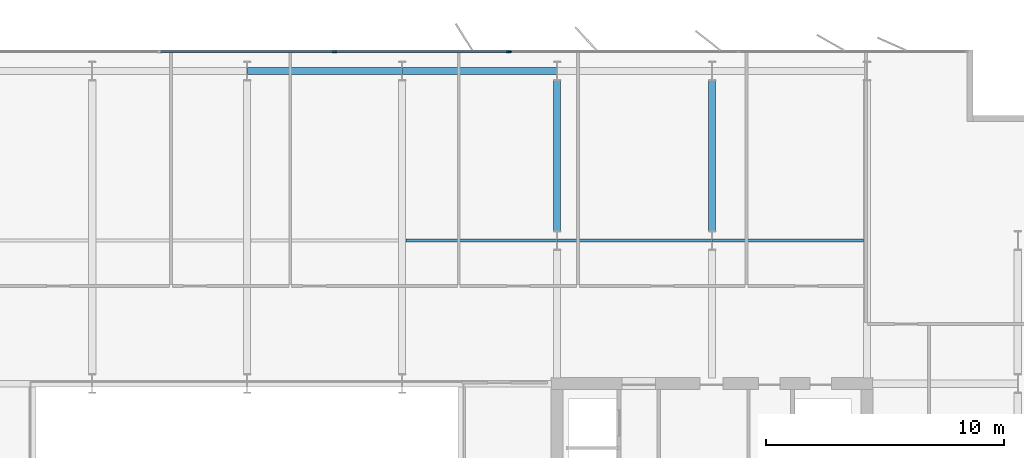
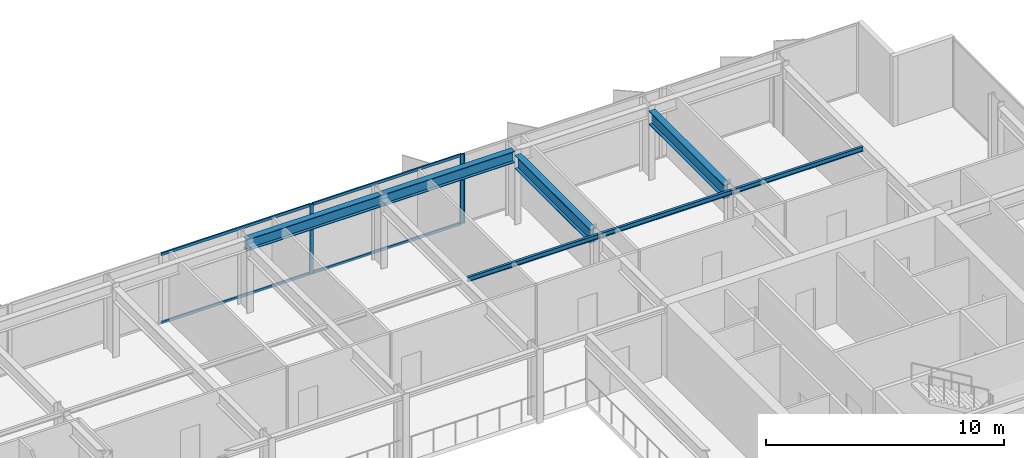
# One storey, part 12 of 23: 7 beams, 7 members, 2 elements without a shape of their own.
"""IFC4 building model written with IfcOpenShell, lengths in metres."""

import ifcopenshell
import ifcopenshell.guid

model = None  # the IFC model being written
_history = None  # IfcOwnerHistory: only IFC2X3 demands one
_inside = {}  # id of a spatial element -> (the spatial element, [elements in it])
_under = {}  # id of a project, library or spatial element -> (it, [spatial elements below it])
_declared = {}  # id of a project -> (the project, [libraries it declares])
_typed = {}  # id of a type object -> (the type object, [elements of that type])
_made_of = {}  # id of a material, layer set ... -> (it, [elements and type objects made of it])


def new_model(schema):
    """Start an empty IFC model of exactly this schema.

    Asked for "IFC4X3", IfcOpenShell would pick the latest addendum, in which some entities
    have other attributes; the version numbers below select the first issue.
    IFC2X3 requires an IfcOwnerHistory on every rooted entity: one is made here for all.
    """
    global model, _history
    if schema == "IFC4X3":
        model = ifcopenshell.file(schema_version=(4, 3, 0, 0))
    else:
        model = ifcopenshell.file(schema=schema)
    _inside.clear()
    _under.clear()
    _declared.clear()
    _typed.clear()
    _made_of.clear()
    _history = None
    if model.schema == "IFC2X3":
        org = make("IfcOrganization", Name="unknown")
        user = make(
            "IfcPersonAndOrganization",
            ThePerson=make("IfcPerson", FamilyName="unknown"),
            TheOrganization=org,
        )
        app = make(
            "IfcApplication",
            ApplicationDeveloper=org,
            Version="unknown",
            ApplicationFullName="unknown",
            ApplicationIdentifier="unknown",
        )
        _history = make(
            "IfcOwnerHistory",
            OwningUser=user,
            OwningApplication=app,
            ChangeAction="ADDED",
            CreationDate=0,
        )
    return model


def make(cls, **values):
    """One entity of the class cls with the attributes given. An attribute that is None is left unset."""
    return model.create_entity(
        cls, **{name: value for name, value in values.items() if value is not None}
    )


def rooted(cls, **values):
    """An entity with a GlobalId (a new one), such as an element, a storey or a relation."""
    return make(cls, GlobalId=ifcopenshell.guid.new(), OwnerHistory=_history, **values)


def si_unit(unit_type, name, prefix=None):
    """IfcSIUnit, for example si_unit("LENGTHUNIT", "METRE", prefix="MILLI")."""
    return make("IfcSIUnit", UnitType=unit_type, Prefix=prefix, Name=name)


def assignment(units):
    """IfcUnitAssignment: the units of a project."""
    return None if units is None else make("IfcUnitAssignment", Units=units)


def point(xyz):
    """IfcCartesianPoint."""
    return None if xyz is None else make("IfcCartesianPoint", Coordinates=xyz)


def direction(xyz):
    """IfcDirection."""
    return None if xyz is None else make("IfcDirection", DirectionRatios=xyz)


def frame(location, z_axis=None, x_axis=None):
    """IfcAxis2Placement3D, a coordinate frame: its origin and axes. An axis left out is left unset."""
    return make(
        "IfcAxis2Placement3D",
        Location=point(location),
        Axis=direction(z_axis),
        RefDirection=direction(x_axis),
    )


def frame_2d(location, x_axis=None):
    """IfcAxis2Placement2D, a coordinate frame in the plane: its origin and x axis."""
    return make(
        "IfcAxis2Placement2D", Location=point(location), RefDirection=direction(x_axis)
    )


def origin():
    """The frame at (0, 0, 0) with its axes left unset."""
    return frame((0.0, 0.0, 0.0))


def origin_2d():
    """The frame at (0, 0) in the plane with its x axis left unset."""
    return frame_2d((0.0, 0.0))


def place(relative_to, where):
    """IfcLocalPlacement: puts the frame where relative to a parent placement (None: the world)."""
    return make(
        "IfcLocalPlacement", PlacementRelTo=relative_to, RelativePlacement=where
    )


def context(
    kind, dimensions, precision=None, world=None, true_north=None, identifier=None
):
    """IfcGeometricRepresentationContext, for example the 3D "Model" context."""
    return make(
        "IfcGeometricRepresentationContext",
        ContextIdentifier=identifier,
        ContextType=kind,
        CoordinateSpaceDimension=dimensions,
        Precision=precision,
        WorldCoordinateSystem=world,
        TrueNorth=true_north,
    )


def subcontext(parent, identifier, kind, view, scale=None):
    """IfcGeometricRepresentationSubContext, for example "Body" below "Model"."""
    return make(
        "IfcGeometricRepresentationSubContext",
        ContextIdentifier=identifier,
        ContextType=kind,
        ParentContext=parent,
        TargetScale=scale,
        TargetView=view,
    )


def project(units=None, contexts=None):
    """IfcProject with its units and contexts."""
    return rooted(
        "IfcProject",
        Name="project",
        RepresentationContexts=contexts,
        UnitsInContext=assignment(units),
    )


def spatial(cls, under=None, at=None, **own):
    """A site, building, storey or space (cls), placed at a placement, below another one or the project."""
    s = rooted(cls, ObjectPlacement=at, **own)
    if under is not None:
        _under.setdefault(under.id(), (under, []))[1].append(s)
    return s


def profile(cls, at=None, kind="AREA", **sizes):
    """A parametric profile (cls). Its sizes go by their IFC names, for example OverallWidth=200.0."""
    return make(cls, ProfileType=kind, Position=at, **sizes)


def rectangle(**sizes):
    """IfcRectangleProfileDef."""
    return profile("IfcRectangleProfileDef", **sizes)


def i_section(**sizes):
    """IfcIShapeProfileDef."""
    return profile("IfcIShapeProfileDef", **sizes)


def extrude(swept, where, along, depth):
    """IfcExtrudedAreaSolid: the profile swept, set in the frame where, extruded along a direction by depth."""
    return make(
        "IfcExtrudedAreaSolid",
        SweptArea=swept,
        Position=where,
        ExtrudedDirection=direction(along),
        Depth=depth,
    )


def shape(context_of_items, identifier, shape_type, items):
    """IfcShapeRepresentation: the items that make up one representation, for example the "Body"."""
    return make(
        "IfcShapeRepresentation",
        ContextOfItems=context_of_items,
        RepresentationIdentifier=identifier,
        RepresentationType=shape_type,
        Items=items,
    )


def material(Name=None, Category=None):
    """IfcMaterial."""
    return make("IfcMaterial", Name=Name, Category=Category)


def layer(
    of_material, thickness, ventilated=None, Name=None, Category=None, Priority=None
):
    """IfcMaterialLayer: one layer of a wall or slab, of a material (None: an air gap)."""
    return make(
        "IfcMaterialLayer",
        Material=of_material,
        LayerThickness=thickness,
        IsVentilated=ventilated,
        Name=Name,
        Category=Category,
        Priority=Priority,
    )


def layer_set(layers, Name=None):
    """IfcMaterialLayerSet."""
    return make("IfcMaterialLayerSet", MaterialLayers=layers, LayerSetName=Name)


def material_profile(
    of_material, cross_section, Name=None, Category=None, Priority=None
):
    """IfcMaterialProfile: a cross section and its material."""
    return make(
        "IfcMaterialProfile",
        Name=Name,
        Material=of_material,
        Profile=cross_section,
        Priority=Priority,
        Category=Category,
    )


def profile_set(profiles, Name=None, composite=None):
    """IfcMaterialProfileSet."""
    return make(
        "IfcMaterialProfileSet",
        Name=Name,
        MaterialProfiles=profiles,
        CompositeProfile=composite,
    )


def made_of(thing, what):
    """Note that an element or type object is made of a material, layer set ...; save() writes the relation."""
    if what is not None:
        _made_of.setdefault(what.id(), (what, []))[1].append(thing)
    return thing


def type_object(cls, material=None, **own):
    """A type object (cls), such as IfcWallType, which elements share."""
    return made_of(rooted(cls, **own), material)


def element(
    cls,
    number,
    at=None,
    inside=None,
    cuts=None,
    type_object=None,
    material=None,
    context=None,
    identifier="Body",
    shape_type=None,
    held_by="IfcProductDefinitionShape",
    body=None,
    shapes=None,
    **own,
):
    """One element of the class cls, such as IfcWall. Its Tag is "e" and its number.

    at: its placement. inside: the storey or other place that contains it. cuts: it is an
    opening in that element (IfcRelVoidsElement). A single representation is given by context,
    identifier, shape_type and body (its items); several are given by shapes. held_by: the class
    of the entity that holds the representations. save() writes the other relations.
    """
    e = rooted(cls, Tag="e%d" % number, ObjectPlacement=at, **own)
    if body is not None:
        shapes = [shape(context, identifier, shape_type, body)]
    if shapes is not None:
        e.Representation = make(held_by, Representations=shapes)
    if inside is not None:
        _inside.setdefault(inside.id(), (inside, []))[1].append(e)
    if cuts is not None:
        rooted(
            "IfcRelVoidsElement", RelatingBuildingElement=cuts, RelatedOpeningElement=e
        )
    if type_object is not None:
        _typed.setdefault(type_object.id(), (type_object, []))[1].append(e)
    return made_of(e, material)


def aggregate(whole, parts):
    """IfcRelAggregates: a whole, such as a stair, and the parts it consists of."""
    return rooted("IfcRelAggregates", RelatingObject=whole, RelatedObjects=parts)


def save(model, path):
    """Write the relations noted so far, then the file.

    IfcRelAggregates (storeys below a building ...), IfcRelContainedInSpatialStructure (elements
    in a storey), IfcRelDefinesByType, IfcRelAssociatesMaterial and IfcRelDeclares: one each for
    every whole, place, type object, material and project.
    """
    for whole, parts in _under.values():
        aggregate(whole, parts)
    for where, things in _inside.values():
        rooted(
            "IfcRelContainedInSpatialStructure",
            RelatedElements=things,
            RelatingStructure=where,
        )
    for kind, things in _typed.values():
        rooted("IfcRelDefinesByType", RelatedObjects=things, RelatingType=kind)
    for what, things in _made_of.values():
        rooted("IfcRelAssociatesMaterial", RelatedObjects=things, RelatingMaterial=what)
    for by, libraries in _declared.values():
        rooted("IfcRelDeclares", RelatingContext=by, RelatedDefinitions=libraries)
    model.write(path)


model = new_model("IFC4")

# Units and contexts
model_context = context("Model", 3, precision=1e-05, world=origin(), true_north=direction((0.0, 1.0)))
body_context = subcontext(model_context, "Body", "Model", "MODEL_VIEW")
ifc_project = project(units=[si_unit("LENGTHUNIT", "METRE"), si_unit("AREAUNIT", "SQUARE_METRE"), si_unit("VOLUMEUNIT", "CUBIC_METRE"), si_unit("PLANEANGLEUNIT", "RADIAN"), si_unit("MASSUNIT", "GRAM", prefix="KILO")], contexts=[model_context])

# Site, building, storey
site_placement = place(None, origin())
site = spatial("IfcSite", under=ifc_project, at=site_placement, CompositionType="ELEMENT")
building_placement = place(site_placement, origin())
building = spatial("IfcBuilding", under=site, at=building_placement, Name="Putna Gate Headquarters", CompositionType="ELEMENT")
storey_placement = place(building_placement, frame((0.0, 0.0, 225.199951171875)))
storey = spatial("IfcBuildingStorey", under=building, at=storey_placement, Name="L56", CompositionType="ELEMENT", Elevation=225.199951171875)

# Beams
ifc_material_1 = material(Name="Steel S355J2", Category="steel")
ifc_material_profile_1 = material_profile(ifc_material_1, i_section(OverallWidth=0.300048828125, OverallDepth=0.699951171875, WebThickness=0.01708984375, FlangeThickness=0.031982421875, at=origin_2d()), Name="Steel S355J2")
ifc_profile_set_1 = profile_set([ifc_material_profile_1], Name="Steel S355J2")
beam_type_1 = type_object("IfcBeamType", Name="BM-GIRD-B-HEB700", PredefinedType="USERDEFINED", material=ifc_profile_set_1)
for number, where, z_axis, x_axis, name in (
    (1, (52.0, 39.39501953125, 3.22998046875), (0.0, 1.0, 0.0), (-1.0, 0.0, 0.0), "L56 North Primary Girder X52-2"),
    (2, (58.5, 39.39501953125, 3.22998046875), (0.0, 1.0, 0.0), (-1.0, 0.0, 0.0), "L56 North Primary Girder X58-2"),
):
    element("IfcBeam", number, at=place(storey_placement, frame(where, z_axis=z_axis, x_axis=x_axis)), inside=storey, type_object=beam_type_1, Name=name, ObjectType="GIRDER", PredefinedType="USERDEFINED", context=body_context, shape_type="SweptSolid", body=[
        extrude(i_section(OverallWidth=0.300048828125, OverallDepth=0.699951171875, WebThickness=0.01708984375, FlangeThickness=0.031982421875, at=origin_2d()), origin(), (0.0, 0.0, 1.0), 6.330078125),
    ])
ifc_material_profile_2 = material_profile(ifc_material_1, i_section(OverallWidth=0.1201171875, OverallDepth=0.239990234375, WebThickness=0.006103515625, FlangeThickness=0.009765625, at=origin_2d()), Name="Steel S355J2")
ifc_profile_set_2 = profile_set([ifc_material_profile_2], Name="Steel S355J2")
beam_type_2 = type_object("IfcBeamType", Name="BM-SEC-Z4-IPE240", PredefinedType="JOIST", material=ifc_profile_set_2)
beam_1_placement = place(storey_placement, frame((45.654052734375, 39.0, 3.4599609375), z_axis=(1.0, 0.0, 0.0), x_axis=(0.0, 1.0, 0.0)))
element("IfcBeam", 3, at=beam_1_placement, inside=storey, type_object=beam_type_2, Name="L56 North Secondary Beam 6", PredefinedType="JOIST", context=body_context, shape_type="SweptSolid", body=[
    extrude(i_section(OverallWidth=0.1201171875, OverallDepth=0.239990234375, WebThickness=0.006103515625, FlangeThickness=0.009765625, at=origin_2d()), origin(), (0.0, 0.0, 1.0), 6.33984375),
])
beam_2_placement = place(storey_placement, frame((52.006103515625, 39.0, 3.4599609375), z_axis=(1.0, 0.0, 0.0), x_axis=(0.0, 1.0, 0.0)))
element("IfcBeam", 4, at=beam_2_placement, inside=storey, type_object=beam_type_2, Name="L56 North Secondary Beam 7", PredefinedType="JOIST", context=body_context, shape_type="SweptSolid", body=[
    extrude(i_section(OverallWidth=0.1201171875, OverallDepth=0.239990234375, WebThickness=0.006103515625, FlangeThickness=0.009765625, at=origin_2d()), origin(), (0.0, 0.0, 1.0), 6.48779296875),
])
beam_3_placement = place(storey_placement, frame((58.506103515625, 39.0, 3.4599609375), z_axis=(1.0, 0.0, 0.0), x_axis=(0.0, 1.0, 0.0)))
element("IfcBeam", 5, at=beam_3_placement, inside=storey, type_object=beam_type_2, Name="L56 North Secondary Beam 8", PredefinedType="JOIST", context=body_context, shape_type="SweptSolid", body=[
    extrude(i_section(OverallWidth=0.1201171875, OverallDepth=0.239990234375, WebThickness=0.006103515625, FlangeThickness=0.009765625, at=origin_2d()), origin(), (0.0, 0.0, 1.0), 6.33984375),
])
ifc_material_profile_3 = material_profile(ifc_material_1, i_section(OverallWidth=0.300048828125, OverallDepth=0.590087890625, WebThickness=0.012939453125, FlangeThickness=0.02490234375, at=origin_2d()), Name="Steel S355J2")
ifc_profile_set_3 = profile_set([ifc_material_profile_3], Name="Steel S355J2")
beam_type_3 = type_object("IfcBeamType", Name="BM-SPAN-Z4-HEA600", PredefinedType="SPANDREL", material=ifc_profile_set_3)
for number, where, z_axis, x_axis, name in (
    (6, (39.006103515625, 46.1201171875, 3.28515625), (1.0, 0.0, 0.0), (0.0, 1.0, 0.0), "L56 N Perimeter Spandrel 5"),
    (7, (45.506103515625, 46.1201171875, 3.28515625), (1.0, 0.0, 0.0), (0.0, 1.0, 0.0), "L56 N Perimeter Spandrel 6"),
):
    element("IfcBeam", number, at=place(storey_placement, frame(where, z_axis=z_axis, x_axis=x_axis)), inside=storey, type_object=beam_type_3, Name=name, PredefinedType="SPANDREL", context=body_context, shape_type="SweptSolid", body=[
        extrude(i_section(OverallWidth=0.300048828125, OverallDepth=0.590087890625, WebThickness=0.012939453125, FlangeThickness=0.02490234375, at=origin_2d()), origin(), (0.0, 0.0, 1.0), 6.48779296875),
    ])

# Curtain wall, member
ifc_material_2 = material(Name="Anodised bronze aluminium curtain wall", Category="aluminium")
ifc_layer_1 = layer(ifc_material_2, 0.139892578125)
ifc_layer_set_1 = layer_set([ifc_layer_1], Name="Anodised bronze aluminium curtain wall")
curtain_wall_type_1 = type_object("IfcCurtainWallType", Name="CW-SYS-Z4", PredefinedType="USERDEFINED", material=ifc_layer_set_1)
curtain_wall_1_placement = place(storey_placement, origin())
curtain_wall_1 = element("IfcCurtainWall", 8, at=curtain_wall_1_placement, inside=storey, type_object=curtain_wall_type_1, Name="L56 North East Curtain Wall", ObjectType="STICK CURTAIN WALL", PredefinedType="USERDEFINED")
ifc_material_3 = material(Name="Anodised bronze aluminium EN AW-6060", Category="aluminium")
ifc_material_profile_4 = material_profile(ifc_material_3, rectangle(XDim=0.06005859375, YDim=0.139892578125, at=origin_2d()), Name="Anodised bronze aluminium EN AW-6060")
ifc_profile_set_4 = profile_set([ifc_material_profile_4], Name="Anodised bronze aluminium EN AW-6060")
member_type_1 = type_object("IfcMemberType", Name="MULL-CWM-4", PredefinedType="MULLION", material=ifc_profile_set_4)
member_1_placement = place(storey_placement, frame((50.030029296875, 46.919921875, 0.0), z_axis=(0.0, 0.0, 1.0), x_axis=(0.0, 1.0, 0.0)))
member_1 = element("IfcMember", 9, at=member_1_placement, type_object=member_type_1, Name="CWS-4 mullion 1", PredefinedType="MULLION", context=body_context, shape_type="SweptSolid", body=[
    extrude(rectangle(XDim=0.06005859375, YDim=0.139892578125, at=origin_2d()), origin(), (0.0, 0.0, 1.0), 3.580078125),
])
aggregate(curtain_wall_1, [member_1])

# Curtain wall, members
ifc_layer_2 = layer(ifc_material_2, 0.179931640625)
ifc_layer_set_2 = layer_set([ifc_layer_2], Name="Anodised bronze aluminium curtain wall")
curtain_wall_type_2 = type_object("IfcCurtainWallType", Name="CW-SYS-ATR", PredefinedType="USERDEFINED", material=ifc_layer_set_2)
curtain_wall_2_placement = place(storey_placement, origin())
curtain_wall_2 = element("IfcCurtainWall", 10, at=curtain_wall_2_placement, inside=storey, type_object=curtain_wall_type_2, Name="L56 North Atrium Clear Glazing", ObjectType="ATRIUM GLAZING", PredefinedType="USERDEFINED")
ifc_material_profile_5 = material_profile(ifc_material_3, rectangle(XDim=0.070068359375, YDim=0.179931640625, at=origin_2d()), Name="Anodised bronze aluminium EN AW-6060")
ifc_profile_set_5 = profile_set([ifc_material_profile_5], Name="Anodised bronze aluminium EN AW-6060")
member_type_2 = type_object("IfcMemberType", Name="MULL-CWM-AT", PredefinedType="MULLION", material=ifc_profile_set_5)
member_2_placement = place(storey_placement, frame((42.666748046875, 46.919921875, 0.0), z_axis=(0.0, 0.0, 1.0), x_axis=(0.0, 1.0, 0.0)))
member_2 = element("IfcMember", 11, at=member_2_placement, type_object=member_type_2, Name="CWS-AT mullion 3", PredefinedType="MULLION", context=body_context, shape_type="SweptSolid", body=[
    extrude(rectangle(XDim=0.070068359375, YDim=0.179931640625, at=origin_2d()), origin(), (0.0, 0.0, 1.0), 3.580078125),
])
member_3_placement = place(storey_placement, frame((49.965087890625, 46.919921875, 0.0), z_axis=(0.0, 0.0, 1.0), x_axis=(0.0, 1.0, 0.0)))
member_3 = element("IfcMember", 12, at=member_3_placement, type_object=member_type_2, Name="CWS-AT mullion 4", PredefinedType="MULLION", context=body_context, shape_type="SweptSolid", body=[
    extrude(rectangle(XDim=0.070068359375, YDim=0.179931640625, at=origin_2d()), origin(), (0.0, 0.0, 1.0), 3.580078125),
])
ifc_material_profile_6 = material_profile(ifc_material_3, rectangle(XDim=0.070068359375, YDim=0.139892578125, at=origin_2d()), Name="Anodised bronze aluminium EN AW-6060")
ifc_profile_set_6 = profile_set([ifc_material_profile_6], Name="Anodised bronze aluminium EN AW-6060")
member_type_3 = type_object("IfcMemberType", Name="TRAN-CWT-AT", PredefinedType="USERDEFINED", material=ifc_profile_set_6)
member_4_placement = place(storey_placement, frame((35.368408203125, 46.919921875, 0.03515625), z_axis=(1.0, 0.0, 0.0), x_axis=(0.0, 1.0, 0.0)))
member_4 = element("IfcMember", 13, at=member_4_placement, type_object=member_type_3, Name="CWS-AT transom 2.1", ObjectType="TRANSOM", PredefinedType="USERDEFINED", context=body_context, shape_type="SweptSolid", body=[
    extrude(rectangle(XDim=0.070068359375, YDim=0.139892578125, at=origin_2d()), origin(), (0.0, 0.0, 1.0), 7.26318359375),
])
member_5_placement = place(storey_placement, frame((35.368408203125, 46.919921875, 3.545166015625), z_axis=(1.0, 0.0, 0.0), x_axis=(0.0, 1.0, 0.0)))
member_5 = element("IfcMember", 14, at=member_5_placement, type_object=member_type_3, Name="CWS-AT transom 2.2", ObjectType="TRANSOM", PredefinedType="USERDEFINED", context=body_context, shape_type="SweptSolid", body=[
    extrude(rectangle(XDim=0.070068359375, YDim=0.139892578125, at=origin_2d()), origin(), (0.0, 0.0, 1.0), 7.26318359375),
])
member_6_placement = place(storey_placement, frame((42.70166015625, 46.919921875, 0.03515625), z_axis=(1.0, 0.0, 0.0), x_axis=(0.0, 1.0, 0.0)))
member_6 = element("IfcMember", 15, at=member_6_placement, type_object=member_type_3, Name="CWS-AT transom 3.1", ObjectType="TRANSOM", PredefinedType="USERDEFINED", context=body_context, shape_type="SweptSolid", body=[
    extrude(rectangle(XDim=0.070068359375, YDim=0.139892578125, at=origin_2d()), origin(), (0.0, 0.0, 1.0), 7.228271484375),
])
member_7_placement = place(storey_placement, frame((42.70166015625, 46.919921875, 3.545166015625), z_axis=(1.0, 0.0, 0.0), x_axis=(0.0, 1.0, 0.0)))
member_7 = element("IfcMember", 16, at=member_7_placement, type_object=member_type_3, Name="CWS-AT transom 3.2", ObjectType="TRANSOM", PredefinedType="USERDEFINED", context=body_context, shape_type="SweptSolid", body=[
    extrude(rectangle(XDim=0.070068359375, YDim=0.139892578125, at=origin_2d()), origin(), (0.0, 0.0, 1.0), 7.228271484375),
])
aggregate(curtain_wall_2, [member_2, member_3, member_4, member_5, member_6, member_7])

save(model, "model.ifc")
